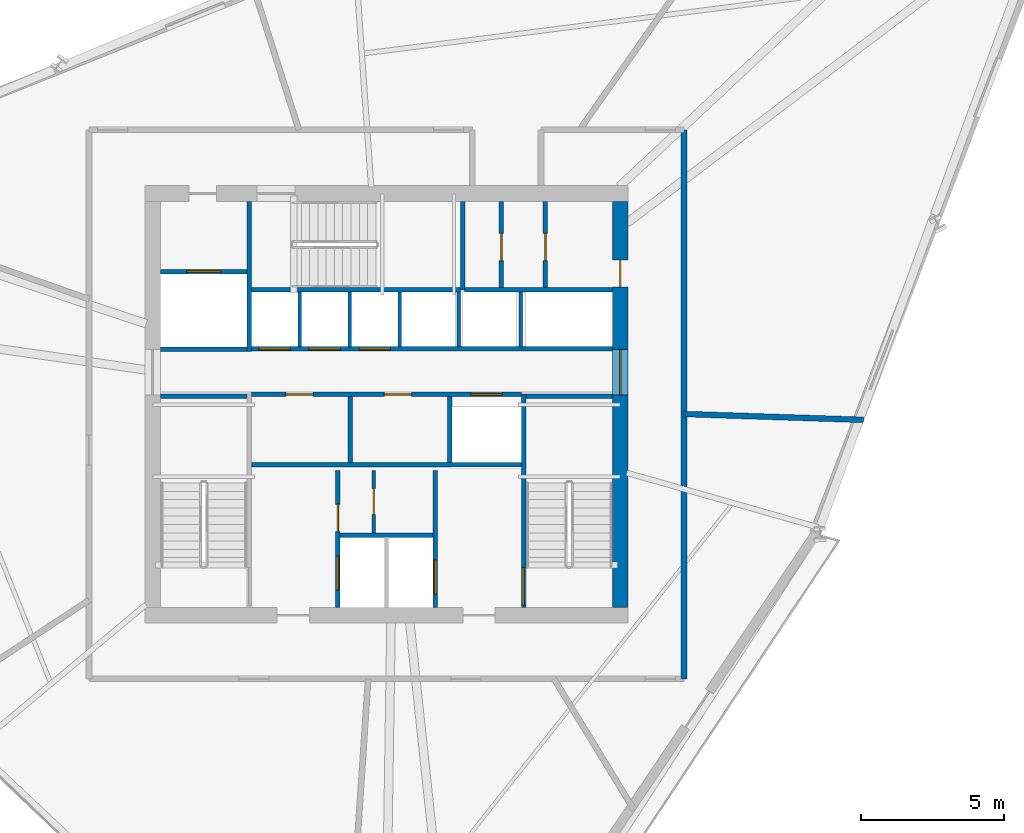
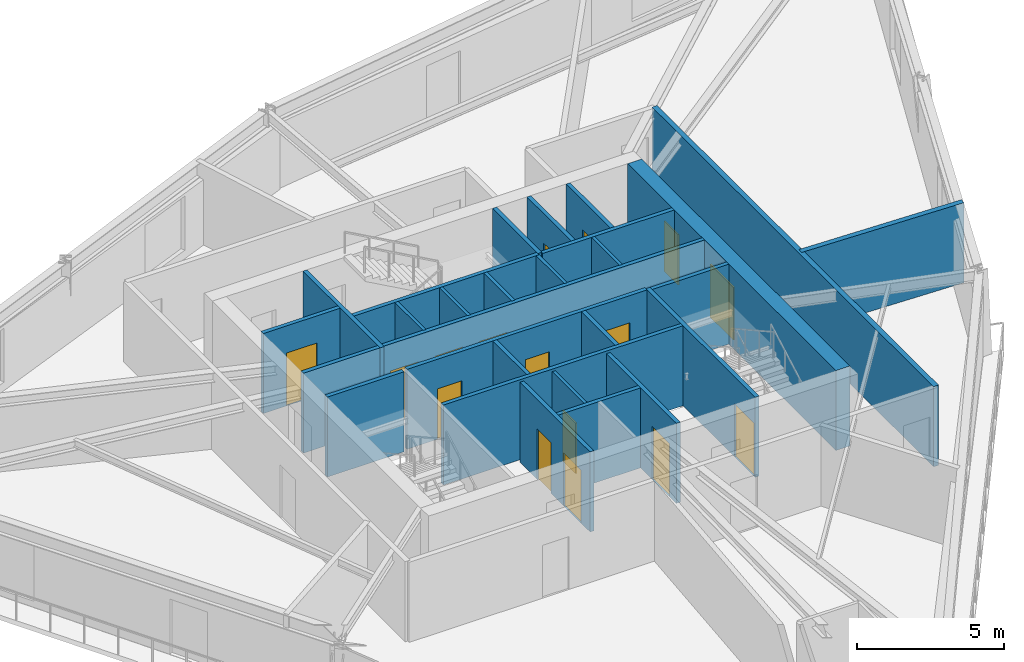
# One storey, part 9 of 13: 28 walls, 16 doors, 16 openings.
"""IFC4 building model written with IfcOpenShell, lengths in metres."""

from ifc_helpers import new_model, si_unit, direction, frame, frame_2d, origin, place, context, subcontext, project, spatial, rectangle, extrude, source, transform, mapped, material, layer, layer_set, type_object, type_shapes, element, fill, save


model = new_model("IFC4")

# Units and contexts
model_context = context("Model", 3, precision=1e-05, world=origin(), true_north=direction((0.0, 1.0)))
body_context = subcontext(model_context, "Body", "Model", "MODEL_VIEW")
ifc_project = project(units=[si_unit("LENGTHUNIT", "METRE"), si_unit("AREAUNIT", "SQUARE_METRE"), si_unit("VOLUMEUNIT", "CUBIC_METRE"), si_unit("PLANEANGLEUNIT", "RADIAN"), si_unit("MASSUNIT", "GRAM", prefix="KILO")], contexts=[model_context])

# Site, building, storey
site_placement = place(None, origin())
site = spatial("IfcSite", under=ifc_project, at=site_placement, CompositionType="ELEMENT")
building_placement = place(site_placement, origin())
building = spatial("IfcBuilding", under=site, at=building_placement, Name="Olszyna Solenne Hotel", CompositionType="ELEMENT")
storey_placement = place(building_placement, frame((0.0, 0.0, 192.75)))
storey = spatial("IfcBuildingStorey", under=building, at=storey_placement, Name="L51", CompositionType="ELEMENT", Elevation=192.75)

# Wall, openings, doors
ifc_material_1 = material(Name="Concrete C50/60", Category="concrete")
ifc_layer_1 = layer(ifc_material_1, 0.550048828125, Name="Concrete C50/60")
ifc_layer_set_1 = layer_set([ifc_layer_1], Name="Concrete C50/60")
wall_type_1 = type_object("IfcWallType", Name="WL-CR550", PredefinedType="SHEAR", material=ifc_layer_set_1)
wall_1_placement = place(storey_placement, frame((46.175048828125, 33.699951171875, 0.0), z_axis=(0.0, 0.0, 1.0), x_axis=(0.0, -1.0, 0.0)))
wall_1 = element("IfcWall", 1, at=wall_1_placement, inside=storey, type_object=wall_type_1, Name="Core shear wall WL-CR550 CRW-L51-E", PredefinedType="SHEAR", context=body_context, shape_type="SweptSolid", body=[
    extrude(rectangle(XDim=14.199951171875, YDim=0.550048828125, at=frame_2d((7.10009765625, 0.0))), origin(), (0.0, 0.0, 1.0), 3.330078125),
])
opening_1_placement = place(wall_1_placement, frame((5.179931640625, 0.0, 0.0)))
opening_1 = element("IfcOpeningElement", 2, at=opening_1_placement, cuts=wall_1, Name="Opening LHD-L51-E", PredefinedType="OPENING", context=body_context, shape_type="SweptSolid", body=[
    extrude(rectangle(XDim=1.60009765625, YDim=2.199951171875, at=frame_2d((0.800048828125, 1.10009765625))), frame((0.0, 0.28515625, 0.0), z_axis=(0.0, -1.0, 0.0), x_axis=(1.0, 0.0, 0.0)), (0.0, 0.0, 1.0), 0.570068359375),
])
opening_2_placement = place(wall_1_placement, frame((2.050048828125, 0.0, 0.0)))
opening_2 = element("IfcOpeningElement", 3, at=opening_2_placement, cuts=wall_1, Name="Opening SVD-L51-BE", PredefinedType="OPENING", context=body_context, shape_type="SweptSolid", body=[
    extrude(rectangle(XDim=0.949951171875, YDim=2.10009765625, at=frame_2d((0.47509765625, 1.050048828125))), frame((0.0, 0.28515625, 0.0), z_axis=(0.0, -1.0, 0.0), x_axis=(1.0, 0.0, 0.0)), (0.0, 0.0, 1.0), 0.570068359375),
])
ifc_material_2 = material(Name="Steel S355J2", Category="steel")
door_type_1 = type_object("IfcDoorType", Name="DR-SV1", OperationType="NOTDEFINED", PredefinedType="DOOR", material=ifc_material_2)
shared_shape_1 = source(origin(), body_context, "Body", "SweptSolid", [
    extrude(rectangle(XDim=0.949951171875, YDim=2.10009765625, at=frame_2d((0.47509765625, 1.050048828125))), frame((0.0, 0.02490234375, 0.0), z_axis=(0.0, -1.0, 0.0), x_axis=(1.0, 0.0, 0.0)), (0.0, 0.0, 1.0), 0.050048828125),
])
type_shapes(door_type_1, [shared_shape_1])
door_1_placement = place(opening_2_placement, origin())
door_1 = element("IfcDoor", 4, at=door_1_placement, inside=storey, type_object=door_type_1, Name="Housekeeping core fire door SVD-L51-BE", OperationType="SINGLE_SWING_RIGHT", OverallHeight=2.10009765625, OverallWidth=0.949951171875, PredefinedType="DOOR", context=body_context, shape_type="MappedRepresentation", body=[
    mapped(shared_shape_1, transform((0.0, 0.0, 0.0), x_axis=(1.0, 0.0, 0.0), y_axis=(0.0, 1.0, 0.0), z_axis=(0.0, 0.0, 1.0), scale=1.0)),
])
fill(opening_2, door_1)
ifc_material_3 = material(Name="Timber hardwood", Category="wood")
door_type_2 = type_object("IfcDoorType", Name="DR-CR1", OperationType="DOUBLE_DOOR_SINGLE_SWING", PredefinedType="DOOR", material=ifc_material_3)
shared_shape_2 = source(origin(), body_context, "Body", "SweptSolid", [
    extrude(rectangle(XDim=1.60009765625, YDim=2.199951171875, at=frame_2d((0.800048828125, 1.10009765625))), frame((0.0, 0.02490234375, 0.0), z_axis=(0.0, -1.0, 0.0), x_axis=(1.0, 0.0, 0.0)), (0.0, 0.0, 1.0), 0.050048828125),
])
type_shapes(door_type_2, [shared_shape_2])
door_2_placement = place(opening_1_placement, origin())
door_2 = element("IfcDoor", 5, at=door_2_placement, inside=storey, type_object=door_type_2, Name="Passenger lift lobby East fire door LHD-L51-E", OperationType="DOUBLE_DOOR_SINGLE_SWING", OverallHeight=2.199951171875, OverallWidth=1.60009765625, PredefinedType="DOOR", context=body_context, shape_type="MappedRepresentation", body=[
    mapped(shared_shape_2, transform((0.0, 0.0, 0.0), x_axis=(1.0, 0.0, 0.0), y_axis=(0.0, 1.0, 0.0), z_axis=(0.0, 0.0, 1.0), scale=1.0)),
])
fill(opening_1, door_2)

# Wall, opening, door
ifc_material_4 = material(Name="Acoustic gypsum partition", Category="gypsum")
ifc_layer_2 = layer(ifc_material_4, 0.125, Name="Acoustic gypsum partition")
ifc_layer_set_2 = layer_set([ifc_layer_2], Name="Acoustic gypsum partition")
wall_type_2 = type_object("IfcWallType", Name="WL-PT125", PredefinedType="PARTITIONING", material=ifc_layer_set_2)
wall_2_placement = place(storey_placement, frame((37.553955078125, 22.10009765625, 0.0), z_axis=(0.0, 0.0, 1.0), x_axis=(0.0, 1.0, 0.0)))
wall_2 = element("IfcWall", 6, at=wall_2_placement, inside=storey, type_object=wall_type_2, Name="Core shaft compartment wall CW-L51-SC3", PredefinedType="PARTITIONING", context=body_context, shape_type="SweptSolid", body=[
    extrude(rectangle(XDim=2.179931640625, YDim=0.125, at=frame_2d((1.08984375, 0.0))), origin(), (0.0, 0.0, 1.0), 3.330078125),
])
opening_3_placement = place(wall_2_placement, frame((0.64990234375, 0.0, 0.0)))
opening_3 = element("IfcOpeningElement", 7, at=opening_3_placement, cuts=wall_2, Name="Opening SVD-L51-SC3", PredefinedType="OPENING", context=body_context, shape_type="SweptSolid", body=[
    extrude(rectangle(XDim=0.89990234375, YDim=2.10009765625, at=frame_2d((0.449951171875, 1.050048828125))), frame((0.0, 0.072509765625, 0.0), z_axis=(0.0, -1.0, 0.0), x_axis=(1.0, 0.0, 0.0)), (0.0, 0.0, 1.0), 0.14501953125),
])
door_type_3 = type_object("IfcDoorType", Name="DR-WC1", OperationType="NOTDEFINED", PredefinedType="DOOR", material=ifc_material_3)
shared_shape_3 = source(origin(), body_context, "Body", "SweptSolid", [
    extrude(rectangle(XDim=0.89990234375, YDim=2.10009765625, at=frame_2d((0.449951171875, 1.050048828125))), frame((0.0, 0.02490234375, 0.0), z_axis=(0.0, -1.0, 0.0), x_axis=(1.0, 0.0, 0.0)), (0.0, 0.0, 1.0), 0.050048828125),
])
type_shapes(door_type_3, [shared_shape_3])
door_3_placement = place(opening_3_placement, origin())
door_3 = element("IfcDoor", 8, at=door_3_placement, inside=storey, type_object=door_type_3, Name="Trolley bay door SVD-L51-SC3", OperationType="SINGLE_SWING_LEFT", OverallHeight=2.10009765625, OverallWidth=0.89990234375, PredefinedType="DOOR", context=body_context, shape_type="MappedRepresentation", body=[
    mapped(shared_shape_3, transform((0.0, 0.0, 0.0), x_axis=(1.0, 0.0, 0.0), y_axis=(0.0, 1.0, 0.0), z_axis=(0.0, 0.0, 1.0), scale=1.0)),
])
fill(opening_3, door_3)

# Walls
for number, where, z_axis, x_axis, name in (
    (9, (34.965087890625, 28.60009765625, 0.0), (0.0, 0.0, 1.0), (0.0, 1.0, 0.0), "Core shaft compartment wall CW-L51-DIVN349"),
    (10, (36.715087890625, 28.60009765625, 0.0), (0.0, 0.0, 1.0), (0.0, 1.0, 0.0), "Core shaft compartment wall CW-L51-DIVN367"),
    (11, (38.465087890625, 28.60009765625, 0.0), (0.0, 0.0, 1.0), (0.0, 1.0, 0.0), "Core shaft compartment wall CW-L51-DIVN384"),
    (12, (40.52490234375, 28.60009765625, 0.0), (0.0, 0.0, 1.0), (0.0, 1.0, 0.0), "Core shaft compartment wall CW-L51-DIVEX405"),
    (13, (42.699951171875, 28.60009765625, 0.0), (0.0, 0.0, 1.0), (0.0, 1.0, 0.0), "Core shaft compartment wall CW-L51-DIVEX427"),
):
    element("IfcWall", number, at=place(storey_placement, frame(where, z_axis=z_axis, x_axis=x_axis)), inside=storey, type_object=wall_type_2, Name=name, PredefinedType="PARTITIONING", context=body_context, shape_type="SweptSolid", body=[
        extrude(rectangle(XDim=1.919921875, YDim=0.125, at=frame_2d((0.9599609375, 0.0))), origin(), (0.0, 0.0, 1.0), 3.330078125),
    ])
ifc_layer_3 = layer(ifc_material_4, 0.159912109375, Name="Acoustic gypsum partition")
ifc_layer_set_3 = layer_set([ifc_layer_3], Name="Acoustic gypsum partition")
wall_type_3 = type_object("IfcWallType", Name="WL-PT160", PredefinedType="PARTITIONING", material=ifc_layer_set_3)
wall_3_placement = place(storey_placement, frame((30.10009765625, 26.8798828125, 0.0), z_axis=(0.0, 0.0, 1.0), x_axis=(1.0, 0.0, 0.0)))
element("IfcWall", 14, at=wall_3_placement, inside=storey, type_object=wall_type_3, Name="Core shaft compartment wall CW-L51-ST1N", PredefinedType="PARTITIONING", context=body_context, shape_type="SweptSolid", body=[
    extrude(rectangle(XDim=3.02001953125, YDim=0.159912109375, at=frame_2d((1.510009765625, 0.0))), origin(), (0.0, 0.0, 1.0), 3.330078125),
])

# Wall, opening, door
wall_4_placement = place(storey_placement, frame((42.800048828125, 26.9599609375, 0.0), z_axis=(0.0, 0.0, 1.0), x_axis=(0.0, -1.0, 0.0)))
wall_4 = element("IfcWall", 15, at=wall_4_placement, inside=storey, type_object=wall_type_3, Name="Core shaft compartment wall CW-L51-ST2W", PredefinedType="PARTITIONING", context=body_context, shape_type="SweptSolid", body=[
    extrude(rectangle(XDim=7.4599609375, YDim=0.159912109375, at=frame_2d((3.72998046875, 0.0))), origin(), (0.0, 0.0, 1.0), 3.330078125),
])
opening_4_placement = place(wall_4_placement, frame((6.06005859375, 0.0, 0.0)))
opening_4 = element("IfcOpeningElement", 16, at=opening_4_placement, cuts=wall_4, Name="Opening STD-L51-02", PredefinedType="OPENING", context=body_context, shape_type="SweptSolid", body=[
    extrude(rectangle(XDim=1.320068359375, YDim=2.199951171875, at=frame_2d((0.66015625, 1.10009765625))), frame((0.0, 0.08984375, 0.0), z_axis=(0.0, -1.0, 0.0), x_axis=(1.0, 0.0, 0.0)), (0.0, 0.0, 1.0), 0.179931640625),
])
door_type_4 = type_object("IfcDoorType", Name="DR-ST1", OperationType="NOTDEFINED", PredefinedType="DOOR", material=ifc_material_2)
shared_shape_4 = source(origin(), body_context, "Body", "SweptSolid", [
    extrude(rectangle(XDim=1.320068359375, YDim=2.199951171875, at=frame_2d((0.66015625, 1.10009765625))), frame((0.0, 0.02490234375, 0.0), z_axis=(0.0, -1.0, 0.0), x_axis=(1.0, 0.0, 0.0)), (0.0, 0.0, 1.0), 0.050048828125),
])
type_shapes(door_type_4, [shared_shape_4])
door_4_placement = place(opening_4_placement, origin())
door_4 = element("IfcDoor", 17, at=door_4_placement, inside=storey, type_object=door_type_4, Name="Pressurised exit stair ST2 fire door STD-L51-02", OperationType="SINGLE_SWING_RIGHT", OverallHeight=2.199951171875, OverallWidth=1.320068359375, PredefinedType="DOOR", context=body_context, shape_type="MappedRepresentation", body=[
    mapped(shared_shape_4, transform((0.0, 0.0, 0.0), x_axis=(1.0, 0.0, 0.0), y_axis=(0.0, 1.0, 0.0), z_axis=(0.0, 0.0, 1.0), scale=1.0)),
])
fill(opening_4, door_4)

# Walls
wall_5_placement = place(storey_placement, frame((42.8798828125, 26.8798828125, 0.0), z_axis=(0.0, 0.0, 1.0), x_axis=(1.0, 0.0, 0.0)))
element("IfcWall", 18, at=wall_5_placement, inside=storey, type_object=wall_type_3, Name="Core shaft compartment wall CW-L51-ST2N", PredefinedType="PARTITIONING", context=body_context, shape_type="SweptSolid", body=[
    extrude(rectangle(XDim=3.02001953125, YDim=0.159912109375, at=frame_2d((1.510009765625, 0.0))), origin(), (0.0, 0.0, 1.0), 3.330078125),
])
wall_6_placement = place(storey_placement, frame((33.280029296875, 30.60009765625, 0.0), z_axis=(0.0, 0.0, 1.0), x_axis=(1.0, 0.0, 0.0)))
element("IfcWall", 19, at=wall_6_placement, inside=storey, type_object=wall_type_3, Name="Core shaft compartment wall CW-L51-ST3S", PredefinedType="PARTITIONING", context=body_context, shape_type="SweptSolid", body=[
    extrude(rectangle(XDim=7.300048828125, YDim=0.159912109375, at=frame_2d((3.64990234375, 0.0))), origin(), (0.0, 0.0, 1.0), 3.330078125),
])
wall_7_placement = place(storey_placement, frame((40.659912109375, 30.60009765625, 0.0), z_axis=(0.0, 0.0, 1.0), x_axis=(0.0, 1.0, 0.0)))
element("IfcWall", 20, at=wall_7_placement, inside=storey, type_object=wall_type_3, Name="Core shaft compartment wall CW-L51-ST3E", PredefinedType="PARTITIONING", context=body_context, shape_type="SweptSolid", body=[
    extrude(rectangle(XDim=3.099853515625, YDim=0.159912109375, at=frame_2d((1.5498046875, 0.0))), origin(), (0.0, 0.0, 1.0), 3.330078125),
])

# Wall, openings, doors
wall_8_placement = place(storey_placement, frame((36.300048828125, 19.5, 0.0), z_axis=(0.0, 0.0, 1.0), x_axis=(0.0, 1.0, 0.0)))
wall_8 = element("IfcWall", 21, at=wall_8_placement, inside=storey, type_object=wall_type_3, Name="Core shaft compartment wall CW-L51-FF1W", PredefinedType="PARTITIONING", context=body_context, shape_type="SweptSolid", body=[
    extrude(rectangle(XDim=4.780029296875, YDim=0.159912109375, at=frame_2d((2.39013671875, 0.0))), origin(), (0.0, 0.0, 1.0), 3.330078125),
])
opening_5_placement = place(wall_8_placement, frame((0.60009765625, 0.0, 0.0)))
opening_5 = element("IfcOpeningElement", 22, at=opening_5_placement, cuts=wall_8, Name="Opening LD-L51-FF1", PredefinedType="OPENING", context=body_context, shape_type="SweptSolid", body=[
    extrude(rectangle(XDim=1.199951171875, YDim=2.199951171875, at=frame_2d((0.60009765625, 1.10009765625))), frame((0.0, 0.08984375, 0.0), z_axis=(0.0, -1.0, 0.0), x_axis=(1.0, 0.0, 0.0)), (0.0, 0.0, 1.0), 0.179931640625),
])
opening_6_placement = place(wall_8_placement, frame((2.64990234375, 0.0, 0.0)))
opening_6 = element("IfcOpeningElement", 23, at=opening_6_placement, cuts=wall_8, Name="Opening SVD-L51-SMK", PredefinedType="OPENING", context=body_context, shape_type="SweptSolid", body=[
    extrude(rectangle(XDim=0.949951171875, YDim=2.10009765625, at=frame_2d((0.47509765625, 1.050048828125))), frame((0.0, 0.08984375, 0.0), z_axis=(0.0, -1.0, 0.0), x_axis=(1.0, 0.0, 0.0)), (0.0, 0.0, 1.0), 0.179931640625),
])
door_5_placement = place(opening_6_placement, origin())
door_5 = element("IfcDoor", 24, at=door_5_placement, inside=storey, type_object=door_type_1, Name="Valet and core service room door SVD-L51-SMK", OperationType="SINGLE_SWING_LEFT", OverallHeight=2.10009765625, OverallWidth=0.949951171875, PredefinedType="DOOR", context=body_context, shape_type="MappedRepresentation", body=[
    mapped(shared_shape_1, transform((0.0, 0.0, 0.0), x_axis=(1.0, 0.0, 0.0), y_axis=(0.0, 1.0, 0.0), z_axis=(0.0, 0.0, 1.0), scale=1.0)),
])
fill(opening_6, door_5)
door_type_5 = type_object("IfcDoorType", Name="LD-FF1", OperationType="DOUBLE_DOOR_SLIDING", PredefinedType="DOOR", material=ifc_material_2)
shared_shape_5 = source(origin(), body_context, "Body", "SweptSolid", [
    extrude(rectangle(XDim=1.199951171875, YDim=2.199951171875, at=frame_2d((0.60009765625, 1.10009765625))), frame((0.0, 0.02490234375, 0.0), z_axis=(0.0, -1.0, 0.0), x_axis=(1.0, 0.0, 0.0)), (0.0, 0.0, 1.0), 0.050048828125),
])
type_shapes(door_type_5, [shared_shape_5])
door_6_placement = place(opening_5_placement, origin())
door_6 = element("IfcDoor", 25, at=door_6_placement, inside=storey, type_object=door_type_5, Name="Firefighters lift FF1 sliding landing door LD-L51-FF1", OperationType="DOUBLE_DOOR_SLIDING", OverallHeight=2.199951171875, OverallWidth=1.199951171875, PredefinedType="DOOR", context=body_context, shape_type="MappedRepresentation", body=[
    mapped(shared_shape_5, transform((0.0, 0.0, 0.0), x_axis=(1.0, 0.0, 0.0), y_axis=(0.0, 1.0, 0.0), z_axis=(0.0, 0.0, 1.0), scale=1.0)),
])
fill(opening_5, door_6)

# Wall, opening, door
wall_9_placement = place(storey_placement, frame((39.699951171875, 24.280029296875, 0.0), z_axis=(0.0, 0.0, 1.0), x_axis=(0.0, -1.0, 0.0)))
wall_9 = element("IfcWall", 26, at=wall_9_placement, inside=storey, type_object=wall_type_3, Name="Core shaft compartment wall CW-L51-FF2E", PredefinedType="PARTITIONING", context=body_context, shape_type="SweptSolid", body=[
    extrude(rectangle(XDim=4.780029296875, YDim=0.159912109375, at=frame_2d((2.39013671875, 0.0))), origin(), (0.0, 0.0, 1.0), 3.330078125),
])
opening_7_placement = place(wall_9_placement, frame((3.1201171875, 0.0, 0.0)))
opening_7 = element("IfcOpeningElement", 27, at=opening_7_placement, cuts=wall_9, Name="Opening LD-L51-FF2", PredefinedType="OPENING", context=body_context, shape_type="SweptSolid", body=[
    extrude(rectangle(XDim=1.199951171875, YDim=2.199951171875, at=frame_2d((0.60009765625, 1.10009765625))), frame((0.0, 0.08984375, 0.0), z_axis=(0.0, -1.0, 0.0), x_axis=(1.0, 0.0, 0.0)), (0.0, 0.0, 1.0), 0.179931640625),
])
door_7_placement = place(opening_7_placement, origin())
door_7 = element("IfcDoor", 28, at=door_7_placement, inside=storey, type_object=door_type_5, Name="Firefighters lift FF2 sliding landing door LD-L51-FF2", OperationType="DOUBLE_DOOR_SLIDING", OverallHeight=2.199951171875, OverallWidth=1.199951171875, PredefinedType="DOOR", context=body_context, shape_type="MappedRepresentation", body=[
    mapped(shared_shape_5, transform((0.0, 0.0, 0.0), x_axis=(1.0, 0.0, 0.0), y_axis=(0.0, 1.0, 0.0), z_axis=(0.0, 0.0, 1.0), scale=1.0)),
])
fill(opening_7, door_7)

# Walls
wall_10_placement = place(storey_placement, frame((36.3798828125, 22.02001953125, 0.0), z_axis=(0.0, 0.0, 1.0), x_axis=(1.0, 0.0, 0.0)))
element("IfcWall", 29, at=wall_10_placement, inside=storey, type_object=wall_type_3, Name="Core shaft compartment wall CW-L51-FFN", PredefinedType="PARTITIONING", context=body_context, shape_type="SweptSolid", body=[
    extrude(rectangle(XDim=3.240234375, YDim=0.159912109375, at=frame_2d((1.6201171875, 0.0))), origin(), (0.0, 0.0, 1.0), 3.330078125),
])
wall_11_placement = place(storey_placement, frame((33.280029296875, 24.489990234375, 0.0), z_axis=(0.0, 0.0, 1.0), x_axis=(1.0, 0.0, 0.0)))
element("IfcWall", 30, at=wall_11_placement, inside=storey, type_object=wall_type_3, Name="Core shaft compartment wall CW-L51-FFBN", PredefinedType="PARTITIONING", context=body_context, shape_type="SweptSolid", body=[
    extrude(rectangle(XDim=9.43994140625, YDim=0.159912109375, at=frame_2d((4.719970703125, 0.0))), origin(), (0.0, 0.0, 1.0), 3.330078125),
])
wall_12_placement = place(storey_placement, frame((30.10009765625, 28.52001953125, 0.0), z_axis=(0.0, 0.0, 1.0), x_axis=(1.0, 0.0, 0.0)))
element("IfcWall", 31, at=wall_12_placement, inside=storey, type_object=wall_type_3, Name="Core shaft compartment wall CW-L51-SV1S", PredefinedType="PARTITIONING", context=body_context, shape_type="SweptSolid", body=[
    extrude(rectangle(XDim=3.02001953125, YDim=0.159912109375, at=frame_2d((1.510009765625, 0.0))), origin(), (0.0, 0.0, 1.0), 3.330078125),
])
wall_13_placement = place(storey_placement, frame((33.199951171875, 28.43994140625, 0.0), z_axis=(0.0, 0.0, 1.0), x_axis=(0.0, 1.0, 0.0)))
element("IfcWall", 32, at=wall_13_placement, inside=storey, type_object=wall_type_3, Name="Core shaft compartment wall CW-L51-SV1E", PredefinedType="PARTITIONING", context=body_context, shape_type="SweptSolid", body=[
    extrude(rectangle(XDim=5.260009765625, YDim=0.159912109375, at=frame_2d((2.6298828125, 0.0))), origin(), (0.0, 0.0, 1.0), 3.330078125),
])

# Wall, opening, door
wall_14_placement = place(storey_placement, frame((30.10009765625, 31.239990234375, 0.0), z_axis=(0.0, 0.0, 1.0), x_axis=(1.0, 0.0, 0.0)))
wall_14 = element("IfcWall", 33, at=wall_14_placement, inside=storey, type_object=wall_type_3, Name="Core shaft compartment wall CW-L51-SV1N", PredefinedType="PARTITIONING", context=body_context, shape_type="SweptSolid", body=[
    extrude(rectangle(XDim=3.02001953125, YDim=0.159912109375, at=frame_2d((1.510009765625, 0.0))), origin(), (0.0, 0.0, 1.0), 3.330078125),
])
opening_8_placement = place(wall_14_placement, frame((0.909912109375, 0.0, 0.0)))
opening_8 = element("IfcOpeningElement", 34, at=opening_8_placement, cuts=wall_14, Name="Opening LD-L51-SV1", PredefinedType="OPENING", context=body_context, shape_type="SweptSolid", body=[
    extrude(rectangle(XDim=1.199951171875, YDim=2.199951171875, at=frame_2d((0.60009765625, 1.10009765625))), frame((0.0, 0.08984375, 0.0), z_axis=(0.0, -1.0, 0.0), x_axis=(1.0, 0.0, 0.0)), (0.0, 0.0, 1.0), 0.179931640625),
])
door_8_placement = place(opening_8_placement, origin())
door_8 = element("IfcDoor", 35, at=door_8_placement, inside=storey, type_object=door_type_5, Name="Service lift SV1 sliding landing door LD-L51-SV1", OperationType="DOUBLE_DOOR_SLIDING", OverallHeight=2.199951171875, OverallWidth=1.199951171875, PredefinedType="DOOR", context=body_context, shape_type="MappedRepresentation", body=[
    mapped(shared_shape_5, transform((0.0, 0.0, 0.0), x_axis=(1.0, 0.0, 0.0), y_axis=(0.0, 1.0, 0.0), z_axis=(0.0, 0.0, 1.0), scale=1.0)),
])
fill(opening_8, door_8)

# Wall, openings, doors
wall_15_placement = place(storey_placement, frame((33.280029296875, 26.949951171875, 0.0), z_axis=(0.0, 0.0, 1.0), x_axis=(1.0, 0.0, 0.0)))
wall_15 = element("IfcWall", 36, at=wall_15_placement, inside=storey, type_object=wall_type_3, Name="Core shaft compartment wall CW-L51-LRS", PredefinedType="PARTITIONING", context=body_context, shape_type="SweptSolid", body=[
    extrude(rectangle(XDim=9.43994140625, YDim=0.159912109375, at=frame_2d((4.719970703125, 0.0))), origin(), (0.0, 0.0, 1.0), 3.330078125),
])
opening_9_placement = place(wall_15_placement, frame((1.199951171875, 0.0, 0.0)))
opening_9 = element("IfcOpeningElement", 37, at=opening_9_placement, cuts=wall_15, Name="Opening SVD-L51-L71", PredefinedType="OPENING", context=body_context, shape_type="SweptSolid", body=[
    extrude(rectangle(XDim=0.949951171875, YDim=2.10009765625, at=frame_2d((0.47509765625, 1.050048828125))), frame((0.0, 0.08984375, 0.0), z_axis=(0.0, -1.0, 0.0), x_axis=(1.0, 0.0, 0.0)), (0.0, 0.0, 1.0), 0.179931640625),
])
opening_10_placement = place(wall_15_placement, frame((4.64990234375, 0.0, 0.0)))
opening_10 = element("IfcOpeningElement", 38, at=opening_10_placement, cuts=wall_15, Name="Opening SVD-L51-L72", PredefinedType="OPENING", context=body_context, shape_type="SweptSolid", body=[
    extrude(rectangle(XDim=0.949951171875, YDim=2.10009765625, at=frame_2d((0.47509765625, 1.050048828125))), frame((0.0, 0.08984375, 0.0), z_axis=(0.0, -1.0, 0.0), x_axis=(1.0, 0.0, 0.0)), (0.0, 0.0, 1.0), 0.179931640625),
])
opening_11_placement = place(wall_15_placement, frame((7.669921875, 0.0, 0.0)))
opening_11 = element("IfcOpeningElement", 39, at=opening_11_placement, cuts=wall_15, Name="Opening LD-L51-PL5", PredefinedType="OPENING", context=body_context, shape_type="SweptSolid", body=[
    extrude(rectangle(XDim=1.10009765625, YDim=2.199951171875, at=frame_2d((0.550048828125, 1.10009765625))), frame((0.0, 0.08984375, 0.0), z_axis=(0.0, -1.0, 0.0), x_axis=(1.0, 0.0, 0.0)), (0.0, 0.0, 1.0), 0.179931640625),
])
door_9_placement = place(opening_9_placement, origin())
door_9 = element("IfcDoor", 40, at=door_9_placement, inside=storey, type_object=door_type_1, Name="Recaptured core room fire door SVD-L51-L71", OperationType="SINGLE_SWING_LEFT", OverallHeight=2.10009765625, OverallWidth=0.949951171875, PredefinedType="DOOR", context=body_context, shape_type="MappedRepresentation", body=[
    mapped(shared_shape_1, transform((0.0, 0.0, 0.0), x_axis=(1.0, 0.0, 0.0), y_axis=(0.0, 1.0, 0.0), z_axis=(0.0, 0.0, 1.0), scale=1.0)),
])
fill(opening_9, door_9)
door_10_placement = place(opening_10_placement, origin())
door_10 = element("IfcDoor", 41, at=door_10_placement, inside=storey, type_object=door_type_1, Name="Recaptured core room fire door SVD-L51-L72", OperationType="SINGLE_SWING_RIGHT", OverallHeight=2.10009765625, OverallWidth=0.949951171875, PredefinedType="DOOR", context=body_context, shape_type="MappedRepresentation", body=[
    mapped(shared_shape_1, transform((0.0, 0.0, 0.0), x_axis=(1.0, 0.0, 0.0), y_axis=(0.0, 1.0, 0.0), z_axis=(0.0, 0.0, 1.0), scale=1.0)),
])
fill(opening_10, door_10)
door_type_6 = type_object("IfcDoorType", Name="LD-P1", OperationType="DOUBLE_DOOR_SLIDING", PredefinedType="DOOR", material=ifc_material_2)
shared_shape_6 = source(origin(), body_context, "Body", "SweptSolid", [
    extrude(rectangle(XDim=1.10009765625, YDim=2.199951171875, at=frame_2d((0.550048828125, 1.10009765625))), frame((0.0, 0.02490234375, 0.0), z_axis=(0.0, -1.0, 0.0), x_axis=(1.0, 0.0, 0.0)), (0.0, 0.0, 1.0), 0.050048828125),
])
type_shapes(door_type_6, [shared_shape_6])
door_11_placement = place(opening_11_placement, origin())
door_11 = element("IfcDoor", 42, at=door_11_placement, inside=storey, type_object=door_type_6, Name="Passenger lift PL5 sliding landing door LD-L51-PL5", OperationType="DOUBLE_DOOR_SLIDING", OverallHeight=2.199951171875, OverallWidth=1.10009765625, PredefinedType="DOOR", context=body_context, shape_type="MappedRepresentation", body=[
    mapped(shared_shape_6, transform((0.0, 0.0, 0.0), x_axis=(1.0, 0.0, 0.0), y_axis=(0.0, 1.0, 0.0), z_axis=(0.0, 0.0, 1.0), scale=1.0)),
])
fill(opening_11, door_11)

# Walls
for number, where, z_axis, x_axis, name in (
    (43, (36.72998046875, 24.56005859375, 0.0), (0.0, 0.0, 1.0), (0.0, 1.0, 0.0), "Core shaft compartment wall CW-L51-LV7DIV1"),
    (44, (40.215087890625, 24.56005859375, 0.0), (0.0, 0.0, 1.0), (0.0, 1.0, 0.0), "Core shaft compartment wall CW-L51-LV7DIV2"),
):
    element("IfcWall", number, at=place(storey_placement, frame(where, z_axis=z_axis, x_axis=x_axis)), inside=storey, type_object=wall_type_3, Name=name, PredefinedType="PARTITIONING", context=body_context, shape_type="SweptSolid", body=[
        extrude(rectangle(XDim=2.31005859375, YDim=0.159912109375, at=frame_2d((1.155029296875, 0.0))), origin(), (0.0, 0.0, 1.0), 3.330078125),
    ])

# Wall, openings, doors
wall_16_placement = place(storey_placement, frame((33.280029296875, 28.5400390625, 0.0), z_axis=(0.0, 0.0, 1.0), x_axis=(1.0, 0.0, 0.0)))
wall_16 = element("IfcWall", 45, at=wall_16_placement, inside=storey, type_object=wall_type_3, Name="Core shaft compartment wall CW-L51-LRN", PredefinedType="PARTITIONING", context=body_context, shape_type="SweptSolid", body=[
    extrude(rectangle(XDim=12.619873046875, YDim=0.159912109375, at=frame_2d((6.31005859375, 0.0))), origin(), (0.0, 0.0, 1.0), 3.330078125),
])
opening_12_placement = place(wall_16_placement, frame((0.260009765625, 0.0, 0.0)))
opening_12 = element("IfcOpeningElement", 46, at=opening_12_placement, cuts=wall_16, Name="Opening LD-L51-PL6", PredefinedType="OPENING", context=body_context, shape_type="SweptSolid", body=[
    extrude(rectangle(XDim=1.10009765625, YDim=2.199951171875, at=frame_2d((0.550048828125, 1.10009765625))), frame((0.0, 0.08984375, 0.0), z_axis=(0.0, -1.0, 0.0), x_axis=(1.0, 0.0, 0.0)), (0.0, 0.0, 1.0), 0.179931640625),
])
opening_13_placement = place(wall_16_placement, frame((2.010009765625, 0.0, 0.0)))
opening_13 = element("IfcOpeningElement", 47, at=opening_13_placement, cuts=wall_16, Name="Opening LD-L51-PL7", PredefinedType="OPENING", context=body_context, shape_type="SweptSolid", body=[
    extrude(rectangle(XDim=1.10009765625, YDim=2.199951171875, at=frame_2d((0.550048828125, 1.10009765625))), frame((0.0, 0.08984375, 0.0), z_axis=(0.0, -1.0, 0.0), x_axis=(1.0, 0.0, 0.0)), (0.0, 0.0, 1.0), 0.179931640625),
])
opening_14_placement = place(wall_16_placement, frame((3.760009765625, 0.0, 0.0)))
opening_14 = element("IfcOpeningElement", 48, at=opening_14_placement, cuts=wall_16, Name="Opening LD-L51-PL8", PredefinedType="OPENING", context=body_context, shape_type="SweptSolid", body=[
    extrude(rectangle(XDim=1.10009765625, YDim=2.199951171875, at=frame_2d((0.550048828125, 1.10009765625))), frame((0.0, 0.08984375, 0.0), z_axis=(0.0, -1.0, 0.0), x_axis=(1.0, 0.0, 0.0)), (0.0, 0.0, 1.0), 0.179931640625),
])
door_12_placement = place(opening_12_placement, origin())
door_12 = element("IfcDoor", 49, at=door_12_placement, inside=storey, type_object=door_type_6, Name="Passenger lift PL6 sliding landing door LD-L51-PL6", OperationType="DOUBLE_DOOR_SLIDING", OverallHeight=2.199951171875, OverallWidth=1.10009765625, PredefinedType="DOOR", context=body_context, shape_type="MappedRepresentation", body=[
    mapped(shared_shape_6, transform((0.0, 0.0, 0.0), x_axis=(1.0, 0.0, 0.0), y_axis=(0.0, 1.0, 0.0), z_axis=(0.0, 0.0, 1.0), scale=1.0)),
])
fill(opening_12, door_12)
door_13_placement = place(opening_13_placement, origin())
door_13 = element("IfcDoor", 50, at=door_13_placement, inside=storey, type_object=door_type_6, Name="Passenger lift PL7 sliding landing door LD-L51-PL7", OperationType="DOUBLE_DOOR_SLIDING", OverallHeight=2.199951171875, OverallWidth=1.10009765625, PredefinedType="DOOR", context=body_context, shape_type="MappedRepresentation", body=[
    mapped(shared_shape_6, transform((0.0, 0.0, 0.0), x_axis=(1.0, 0.0, 0.0), y_axis=(0.0, 1.0, 0.0), z_axis=(0.0, 0.0, 1.0), scale=1.0)),
])
fill(opening_13, door_13)
door_14_placement = place(opening_14_placement, origin())
door_14 = element("IfcDoor", 51, at=door_14_placement, inside=storey, type_object=door_type_6, Name="Passenger lift PL8 sliding landing door LD-L51-PL8", OperationType="DOUBLE_DOOR_SLIDING", OverallHeight=2.199951171875, OverallWidth=1.10009765625, PredefinedType="DOOR", context=body_context, shape_type="MappedRepresentation", body=[
    mapped(shared_shape_6, transform((0.0, 0.0, 0.0), x_axis=(1.0, 0.0, 0.0), y_axis=(0.0, 1.0, 0.0), z_axis=(0.0, 0.0, 1.0), scale=1.0)),
])
fill(opening_14, door_14)

# Wall
wall_17_placement = place(storey_placement, frame((40.719970703125, 30.60009765625, 0.0), z_axis=(0.0, 0.0, 1.0), x_axis=(1.0, 0.0, 0.0)))
element("IfcWall", 52, at=wall_17_placement, inside=storey, type_object=wall_type_3, Name="Core shaft compartment wall CW-L51-LRNTOP", PredefinedType="PARTITIONING", context=body_context, shape_type="SweptSolid", body=[
    extrude(rectangle(XDim=5.179931640625, YDim=0.159912109375, at=frame_2d((2.58984375, 0.0))), origin(), (0.0, 0.0, 1.0), 3.330078125),
])

# Wall, opening, door
wall_18_placement = place(storey_placement, frame((42.014892578125, 30.679931640625, 0.0), z_axis=(0.0, 0.0, 1.0), x_axis=(0.0, 1.0, 0.0)))
wall_18 = element("IfcWall", 53, at=wall_18_placement, inside=storey, type_object=wall_type_3, Name="Core shaft compartment wall CW-L51-BOH3A", PredefinedType="PARTITIONING", context=body_context, shape_type="SweptSolid", body=[
    extrude(rectangle(XDim=3.02001953125, YDim=0.159912109375, at=frame_2d((1.510009765625, 0.0))), origin(), (0.0, 0.0, 1.0), 3.330078125),
])
opening_15_placement = place(wall_18_placement, frame((0.949951171875, 0.0, 0.0)))
opening_15 = element("IfcOpeningElement", 54, at=opening_15_placement, cuts=wall_18, Name="Opening SVD-L51-B31", PredefinedType="OPENING", context=body_context, shape_type="SweptSolid", body=[
    extrude(rectangle(XDim=0.949951171875, YDim=2.10009765625, at=frame_2d((0.47509765625, 1.050048828125))), frame((0.0, 0.08984375, 0.0), z_axis=(0.0, -1.0, 0.0), x_axis=(1.0, 0.0, 0.0)), (0.0, 0.0, 1.0), 0.179931640625),
])
door_15_placement = place(opening_15_placement, origin())
door_15 = element("IfcDoor", 55, at=door_15_placement, inside=storey, type_object=door_type_1, Name="BOH inter-room fire door SVD-L51-B31", OperationType="SINGLE_SWING_LEFT", OverallHeight=2.10009765625, OverallWidth=0.949951171875, PredefinedType="DOOR", context=body_context, shape_type="MappedRepresentation", body=[
    mapped(shared_shape_1, transform((0.0, 0.0, 0.0), x_axis=(1.0, 0.0, 0.0), y_axis=(0.0, 1.0, 0.0), z_axis=(0.0, 0.0, 1.0), scale=1.0)),
])
fill(opening_15, door_15)

wall_19_placement = place(storey_placement, frame((43.554931640625, 30.679931640625, 0.0), z_axis=(0.0, 0.0, 1.0), x_axis=(0.0, 1.0, 0.0)))
wall_19 = element("IfcWall", 56, at=wall_19_placement, inside=storey, type_object=wall_type_3, Name="Core shaft compartment wall CW-L51-BOH3B", PredefinedType="PARTITIONING", context=body_context, shape_type="SweptSolid", body=[
    extrude(rectangle(XDim=3.02001953125, YDim=0.159912109375, at=frame_2d((1.510009765625, 0.0))), origin(), (0.0, 0.0, 1.0), 3.330078125),
])
opening_16_placement = place(wall_19_placement, frame((0.949951171875, 0.0, 0.0)))
opening_16 = element("IfcOpeningElement", 57, at=opening_16_placement, cuts=wall_19, Name="Opening SVD-L51-B32", PredefinedType="OPENING", context=body_context, shape_type="SweptSolid", body=[
    extrude(rectangle(XDim=0.949951171875, YDim=2.10009765625, at=frame_2d((0.47509765625, 1.050048828125))), frame((0.0, 0.08984375, 0.0), z_axis=(0.0, -1.0, 0.0), x_axis=(1.0, 0.0, 0.0)), (0.0, 0.0, 1.0), 0.179931640625),
])
door_16_placement = place(opening_16_placement, origin())
door_16 = element("IfcDoor", 58, at=door_16_placement, inside=storey, type_object=door_type_1, Name="BOH inter-room fire door SVD-L51-B32", OperationType="SINGLE_SWING_LEFT", OverallHeight=2.10009765625, OverallWidth=0.949951171875, PredefinedType="DOOR", context=body_context, shape_type="MappedRepresentation", body=[
    mapped(shared_shape_1, transform((0.0, 0.0, 0.0), x_axis=(1.0, 0.0, 0.0), y_axis=(0.0, 1.0, 0.0), z_axis=(0.0, 0.0, 1.0), scale=1.0)),
])
fill(opening_16, door_16)

# Walls
ifc_layer_4 = layer(ifc_material_4, 0.199951171875, Name="Acoustic gypsum partition")
ifc_layer_set_4 = layer_set([ifc_layer_4], Name="Acoustic gypsum partition")
wall_type_4 = type_object("IfcWallType", Name="WL-PT200", PredefinedType="PARTITIONING", material=ifc_layer_set_4)
wall_20_placement = place(storey_placement, frame((48.39990234375, 26.26220703125, 0.0), z_axis=(0.0, 0.0, 1.0), x_axis=(0.999472608607, -0.032473137284, 0.0)))
element("IfcWall", 59, at=wall_20_placement, inside=storey, type_object=wall_type_4, Name="Interior acoustic partition WL-PT200 PW-L51-2884", PredefinedType="PARTITIONING", context=body_context, shape_type="SweptSolid", body=[
    extrude(rectangle(XDim=6.27783203125, YDim=0.199951171875, at=frame_2d((3.138916015625, 0.0))), origin(), (0.0, 0.0, 1.0), 3.330078125),
])
wall_21_placement = place(storey_placement, frame((48.39990234375, 17.0, 0.0), z_axis=(0.0, 0.0, 1.0), x_axis=(0.0, 1.0, 0.0)))
element("IfcWall", 60, at=wall_21_placement, inside=storey, type_object=wall_type_4, Name="Interior acoustic partition WL-PT200 PW-L51-2900", PredefinedType="PARTITIONING", context=body_context, shape_type="SweptSolid", body=[
    extrude(rectangle(XDim=19.199951171875, YDim=0.199951171875, at=frame_2d((9.60009765625, 0.0))), origin(), (0.0, 0.0, 1.0), 3.330078125),
])

save(model, "model.ifc")
